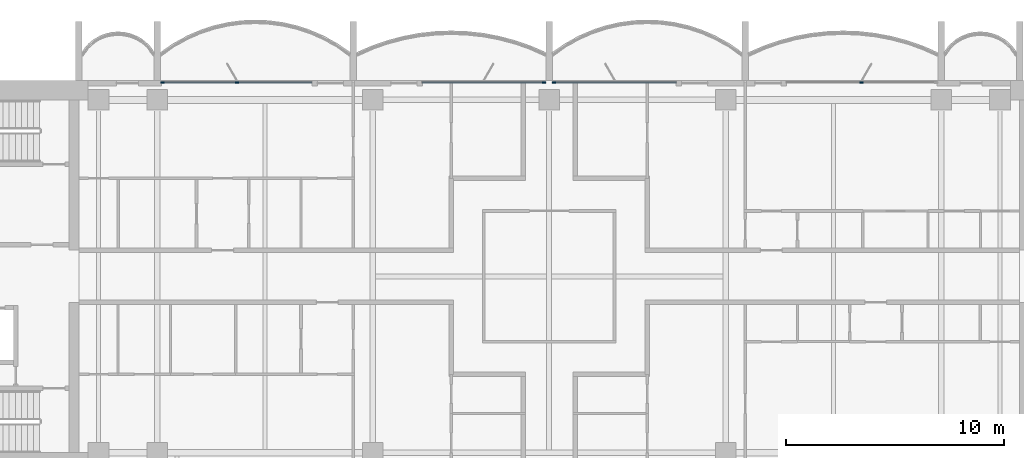
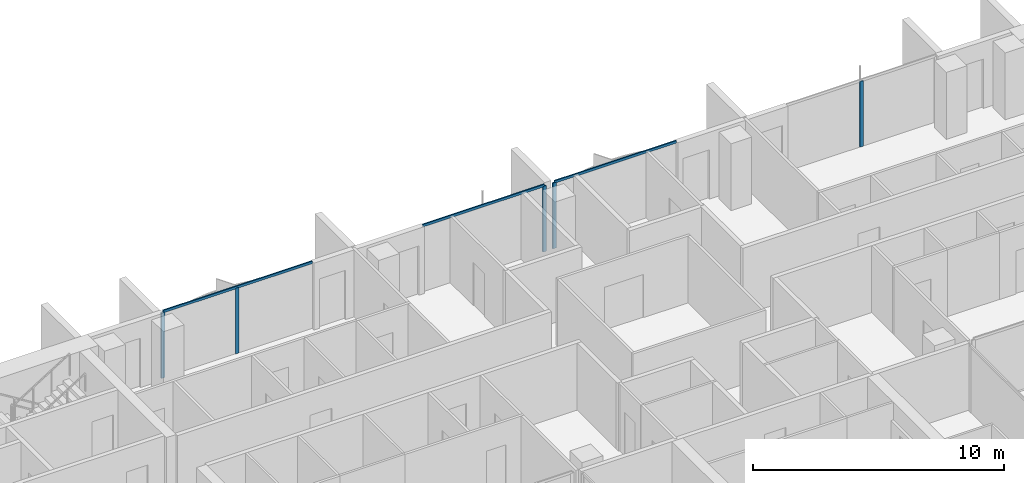
# One storey, part 5 of 17: 8 members, 4 elements without a shape of their own.
"""IFC4 building model written with IfcOpenShell, lengths in metres."""

from ifc_helpers import new_model, si_unit, direction, frame, origin, origin_2d, place, context, subcontext, project, spatial, rectangle, extrude, material, material_profile, profile_set, type_object, element, aggregate, save


model = new_model("IFC4")

# Units and contexts
model_context = context("Model", 3, precision=1e-05, world=origin(), true_north=direction((0.0, 1.0)))
body_context = subcontext(model_context, "Body", "Model", "MODEL_VIEW")
ifc_project = project(units=[si_unit("LENGTHUNIT", "METRE"), si_unit("AREAUNIT", "SQUARE_METRE"), si_unit("VOLUMEUNIT", "CUBIC_METRE"), si_unit("PLANEANGLEUNIT", "RADIAN"), si_unit("MASSUNIT", "GRAM", prefix="KILO")], contexts=[model_context])

# Site, building, storey
site_placement = place(None, origin())
site = spatial("IfcSite", under=ifc_project, at=site_placement, CompositionType="ELEMENT")
building_placement = place(site_placement, origin())
building = spatial("IfcBuilding", under=site, at=building_placement, Name="Perihelion Cross Residences", CompositionType="ELEMENT")
storey_placement = place(building_placement, frame((0.0, 0.0, 194.60009765625)))
storey = spatial("IfcBuildingStorey", under=building, at=storey_placement, Name="L48", CompositionType="ELEMENT", Elevation=194.60009765625)

# Curtain wall, member
ifc_material_1 = material(Name="Bronze anodised aluminium, tinted glazing", Category="aluminium")
curtain_wall_type = type_object("IfcCurtainWallType", Name="CW1", PredefinedType="NOTDEFINED", material=ifc_material_1)
curtain_wall_1_placement = place(storey_placement, origin())
curtain_wall_1 = element("IfcCurtainWall", 1, at=curtain_wall_1_placement, inside=storey, type_object=curtain_wall_type, Name="Curtain wall CW1 L48 east side north bay 2", PredefinedType="NOTDEFINED")
ifc_material_2 = material(Name="Bronze anodised aluminium", Category="aluminium")
ifc_material_profile_1 = material_profile(ifc_material_2, rectangle(XDim=0.06005859375, YDim=0.159912109375, at=origin_2d()), Name="CW1 mullion")
ifc_profile_set_1 = profile_set([ifc_material_profile_1], Name="Bronze anodised aluminium")
member_type_1 = type_object("IfcMemberType", Name="CW1 mullion", PredefinedType="MULLION", material=ifc_profile_set_1)
member_1_placement = place(storey_placement, frame((14.35009765625, 8.89990234375, 0.0), z_axis=(0.0, 0.0, 1.0), x_axis=(0.0, -1.0, 0.0)))
member_1 = element("IfcMember", 2, at=member_1_placement, type_object=member_type_1, Name="CW1 mullion 2", PredefinedType="MULLION", context=body_context, shape_type="SweptSolid", body=[
    extrude(rectangle(XDim=0.06005859375, YDim=0.159912109375, at=origin_2d()), origin(), (0.0, 0.0, 1.0), 3.18994140625),
])
aggregate(curtain_wall_1, [member_1])

curtain_wall_2_placement = place(storey_placement, origin())
curtain_wall_2 = element("IfcCurtainWall", 3, at=curtain_wall_2_placement, inside=storey, type_object=curtain_wall_type, Name="Curtain wall CW1 L48 north side east bay 1", PredefinedType="NOTDEFINED")
member_2_placement = place(storey_placement, frame((0.22998046875, 8.89990234375, 0.0), z_axis=(0.0, 0.0, 1.0), x_axis=(0.0, -1.0, 0.0)))
member_2 = element("IfcMember", 4, at=member_2_placement, type_object=member_type_1, Name="CW1 mullion 2", PredefinedType="MULLION", context=body_context, shape_type="SweptSolid", body=[
    extrude(rectangle(XDim=0.06005859375, YDim=0.159912109375, at=origin_2d()), origin(), (0.0, 0.0, 1.0), 3.18994140625),
])

curtain_wall_3_placement = place(storey_placement, origin())
curtain_wall_3 = element("IfcCurtainWall", 5, at=curtain_wall_3_placement, inside=storey, type_object=curtain_wall_type, Name="Curtain wall CW1 L48 north side east bay 2", PredefinedType="NOTDEFINED")
member_3_placement = place(storey_placement, frame((-0.22998046875, 8.89990234375, 0.0), z_axis=(0.0, 0.0, 1.0), x_axis=(0.0, -1.0, 0.0)))
member_3 = element("IfcMember", 6, at=member_3_placement, type_object=member_type_1, Name="CW1 mullion 1", PredefinedType="MULLION", context=body_context, shape_type="SweptSolid", body=[
    extrude(rectangle(XDim=0.06005859375, YDim=0.159912109375, at=origin_2d()), origin(), (0.0, 0.0, 1.0), 3.18994140625),
])

# Curtain wall, members
curtain_wall_4_placement = place(storey_placement, origin())
curtain_wall_4 = element("IfcCurtainWall", 7, at=curtain_wall_4_placement, inside=storey, type_object=curtain_wall_type, Name="Curtain wall CW1 L48 west side north bay 1", PredefinedType="NOTDEFINED")
member_4_placement = place(storey_placement, frame((-14.35009765625, 8.89990234375, 0.0), z_axis=(0.0, 0.0, 1.0), x_axis=(0.0, -1.0, 0.0)))
member_4 = element("IfcMember", 8, at=member_4_placement, type_object=member_type_1, Name="CW1 mullion 2", PredefinedType="MULLION", context=body_context, shape_type="SweptSolid", body=[
    extrude(rectangle(XDim=0.06005859375, YDim=0.159912109375, at=origin_2d()), origin(), (0.0, 0.0, 1.0), 3.18994140625),
])
member_5_placement = place(storey_placement, frame((-17.77001953125, 8.89990234375, 0.0), z_axis=(0.0, 0.0, 1.0), x_axis=(0.0, -1.0, 0.0)))
member_5 = element("IfcMember", 9, at=member_5_placement, type_object=member_type_1, Name="CW1 mullion 3", PredefinedType="MULLION", context=body_context, shape_type="SweptSolid", body=[
    extrude(rectangle(XDim=0.06005859375, YDim=0.159912109375, at=origin_2d()), origin(), (0.0, 0.0, 1.0), 3.18994140625),
])

# Member
ifc_material_3 = material(Name="Bronze anodised aluminium", Category="aluminium")
ifc_material_profile_2 = material_profile(ifc_material_3, rectangle(XDim=0.06005859375, YDim=0.1201171875, at=origin_2d()), Name="CW1 transom")
ifc_profile_set_2 = profile_set([ifc_material_profile_2], Name="Bronze anodised aluminium")
member_type_2 = type_object("IfcMemberType", Name="CW1 transom", PredefinedType="USERDEFINED", material=ifc_profile_set_2)
member_6_placement = place(storey_placement, frame((5.824951171875, 8.89990234375, 3.219970703125), z_axis=(-1.0, 0.0, 0.0), x_axis=(0.0, -1.0, 0.0)))
member_6 = element("IfcMember", 10, at=member_6_placement, type_object=member_type_2, Name="CW1 head transom", ObjectType="TRANSOM", PredefinedType="USERDEFINED", context=body_context, shape_type="SweptSolid", body=[
    extrude(rectangle(XDim=0.06005859375, YDim=0.1201171875, at=origin_2d()), origin(), (0.0, 0.0, 1.0), 5.594970703125),
])

aggregate(curtain_wall_2, [member_2, member_6])

member_7_placement = place(storey_placement, frame((-0.22998046875, 8.89990234375, 3.219970703125), z_axis=(-1.0, 0.0, 0.0), x_axis=(0.0, -1.0, 0.0)))
member_7 = element("IfcMember", 11, at=member_7_placement, type_object=member_type_2, Name="CW1 head transom", ObjectType="TRANSOM", PredefinedType="USERDEFINED", context=body_context, shape_type="SweptSolid", body=[
    extrude(rectangle(XDim=0.06005859375, YDim=0.1201171875, at=origin_2d()), origin(), (0.0, 0.0, 1.0), 5.594970703125),
])

aggregate(curtain_wall_3, [member_3, member_7])

member_8_placement = place(storey_placement, frame((-10.89990234375, 8.89990234375, 3.219970703125), z_axis=(-1.0, 0.0, 0.0), x_axis=(0.0, -1.0, 0.0)))
member_8 = element("IfcMember", 12, at=member_8_placement, type_object=member_type_2, Name="CW1 head transom", ObjectType="TRANSOM", PredefinedType="USERDEFINED", context=body_context, shape_type="SweptSolid", body=[
    extrude(rectangle(XDim=0.06005859375, YDim=0.1201171875, at=origin_2d()), origin(), (0.0, 0.0, 1.0), 6.8701171875),
])

aggregate(curtain_wall_4, [member_4, member_5, member_8])

save(model, "model.ifc")
